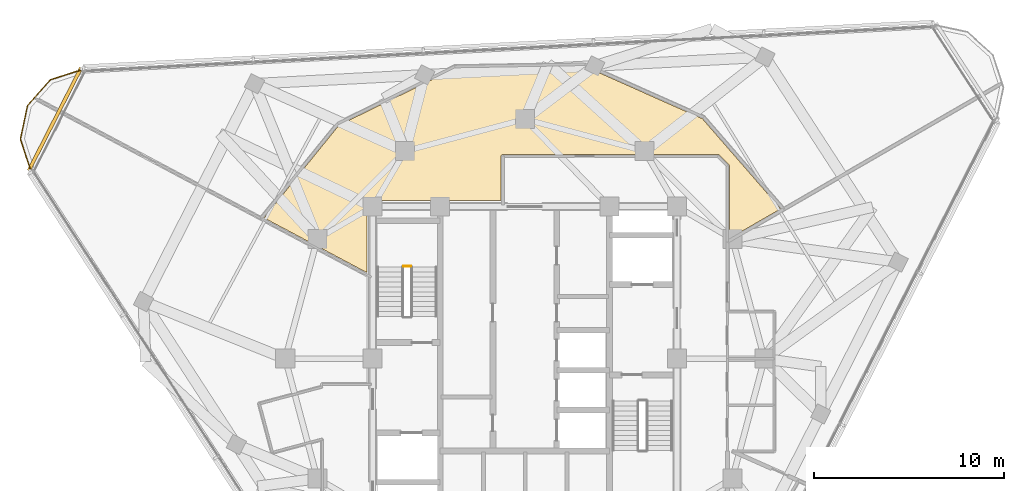
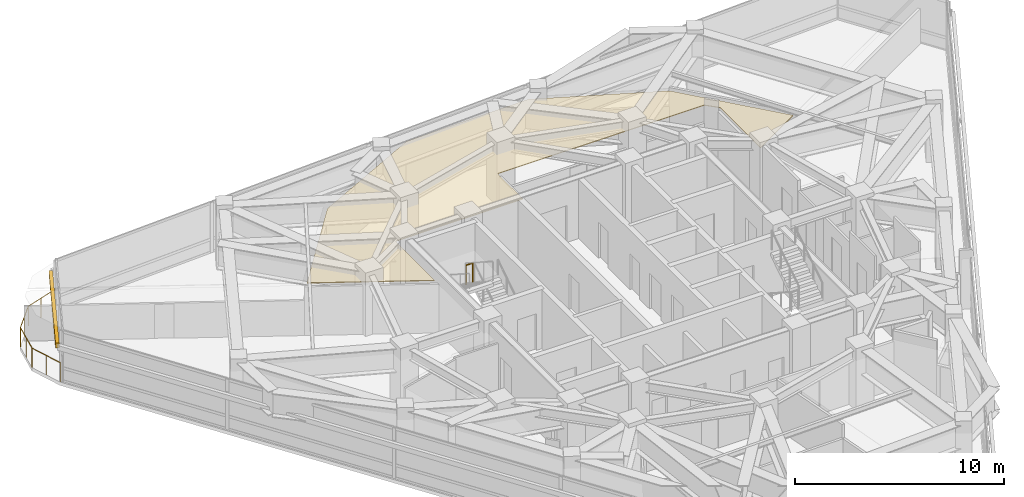
# One storey, part 14 of 15: 2 railings, 1 covering, 1 shading device.
"""IFC4 building model written with IfcOpenShell, lengths in metres."""

from ifc_helpers import new_model, si_unit, direction, frame, origin, origin_2d, place, context, subcontext, project, spatial, polyline, rectangle, circle, outline, extrude, material, layer, layer_set, type_object, element, save


model = new_model("IFC4")

# Units and contexts
model_context = context("Model", 3, precision=1e-05, world=origin(), true_north=direction((0.0, 1.0)))
body_context = subcontext(model_context, "Body", "Model", "MODEL_VIEW")
ifc_project = project(units=[si_unit("LENGTHUNIT", "METRE"), si_unit("AREAUNIT", "SQUARE_METRE"), si_unit("VOLUMEUNIT", "CUBIC_METRE"), si_unit("PLANEANGLEUNIT", "RADIAN"), si_unit("MASSUNIT", "GRAM", prefix="KILO")], contexts=[model_context])

# Site, building, storey
site_placement = place(None, origin())
site = spatial("IfcSite", under=ifc_project, at=site_placement, CompositionType="ELEMENT")
building_placement = place(site_placement, origin())
building = spatial("IfcBuilding", under=site, at=building_placement, Name="Terralouvre Media Tower", CompositionType="ELEMENT")
storey_placement = place(building_placement, frame((0.0, 0.0, 274.39990234375)))
storey = spatial("IfcBuildingStorey", under=building, at=storey_placement, Name="L71", CompositionType="ELEMENT", Elevation=274.39990234375)

# Covering
ifc_material_1 = material(Name="Perforated aluminium acoustic ceiling baffle", Category="aluminium")
ifc_layer_1 = layer(ifc_material_1, 0.0400390625, Name="Perforated Acoustic Metal Tile Ceiling CL-AC1")
ifc_layer_set_1 = layer_set([ifc_layer_1], Name="Perforated aluminium acoustic ceiling baffle")
covering_type = type_object("IfcCoveringType", Name="Perforated Acoustic Metal Tile Ceiling CL-AC1", PredefinedType="CEILING", material=ifc_layer_set_1)
covering_placement = place(storey_placement, frame((0.0, 0.0, 2.940185546875), z_axis=(0.0, 0.0, 1.0), x_axis=(0.45399049974, 0.891006524188, 0.0)))
element("IfcCovering", 1, at=covering_placement, inside=storey, type_object=covering_type, Name="L71 Acoustic Music Listening Room 9 Acoustic Ceiling", PredefinedType="CEILING", context=body_context, shape_type="SweptSolid", body=[
    extrude(outline(polyline([(8.9306640625, 5.952880859375), (8.93994140625, 5.955810546875), (8.949462890625, 5.9580078125), (8.959228515625, 5.95947265625), (8.968994140625, 5.959716796875), (8.97900390625, 5.958984375), (8.988525390625, 5.957275390625), (8.998046875, 5.954833984375), (9.00732421875, 5.951171875), (9.015869140625, 5.947021484375), (9.0244140625, 5.941650390625), (9.031982421875, 5.935791015625), (9.039306640625, 5.928955078125), (9.045654296875, 5.921630859375), (9.05126953125, 5.91357421875), (9.05615234375, 5.905029296875), (14.186279296875, -4.163330078125), (14.1904296875, -4.17236328125), (14.193603515625, -4.181640625), (14.195556640625, -4.191162109375), (14.197021484375, -4.200927734375), (14.197265625, -4.210693359375), (14.196533203125, -4.220458984375), (14.19482421875, -4.230224609375), (14.1923828125, -4.239501953125), (13.973876953125, -4.912109375), (13.97021484375, -4.92138671875), (13.966064453125, -4.929931640625), (13.960693359375, -4.9384765625), (13.954833984375, -4.946044921875), (13.947998046875, -4.953369140625), (13.940673828125, -4.959716796875), (13.9326171875, -4.96533203125), (13.924072265625, -4.97021484375), (10.513427734375, -6.7080078125), (13.1318359375, -8.40869140625), (15.482177734375, -2.590576171875), (15.126708984375, 4.195068359375), (11.936279296875, 10.194091796875), (6.50927734375, 14.2841796875), (0.37158203125, 15.588623046875), (0.264892578125, 9.46142578125), (3.54248046875, 11.131591796875), (3.551513671875, 11.135498046875), (3.560791015625, 11.138671875), (3.5703125, 11.140869140625), (3.580078125, 11.14208984375), (3.58984375, 11.142333984375), (3.599609375, 11.1416015625), (3.609375, 11.14013671875), (3.618896484375, 11.137451171875), (3.6279296875, 11.134033203125), (3.63671875, 11.129638671875), (3.64501953125, 11.12451171875), (3.65283203125, 11.118408203125), (3.659912109375, 11.11181640625), (3.66650390625, 11.104248046875), (3.672119140625, 11.096435546875), (3.677001953125, 11.087890625), (6.836669921875, 4.886474609375), (8.921630859375, 5.94873046875), (8.9306640625, 5.952880859375)])), origin(), (0.0, 0.0, 1.0), 0.039794921875),
])

# Railings
ifc_material_2 = material(Name="Stainless steel 316 handrail and balustrade", Category="steel")
ifc_layer_2 = layer(ifc_material_2, 0.06005859375, Name="Roof Edge Safety Guardrail GR-ROOF1")
ifc_layer_set_2 = layer_set([ifc_layer_2], Name="Stainless steel 316 handrail and balustrade")
railing_type_1 = type_object("IfcRailingType", Name="Roof Edge Safety Guardrail GR-ROOF1", PredefinedType="GUARDRAIL", material=ifc_layer_set_2)
railing_1_placement = place(storey_placement, frame((-23.216796875, 15.2294921875, 0.0)))
element("IfcRailing", 2, at=railing_1_placement, inside=storey, type_object=railing_type_1, Name="L71 Wind-Corner Perimeter Safety Guardrail C2", PredefinedType="GUARDRAIL", context=body_context, shape_type="SweptSolid", body=[
    extrude(circle(Radius=0.02099609375, at=origin_2d()), frame((0.0, 0.0, 1.12890625), z_axis=(-0.951160789169, -0.308695891043, 0.0), x_axis=(0.308695891043, -0.951160789169, 0.0)), (0.0, 0.0, 1.0), 1.81103515625),
    extrude(circle(Radius=0.02099609375, at=origin_2d()), frame((-1.72265625, -0.55908203125, 1.12890625), z_axis=(-0.66920303756, -0.743079601739, 0.0), x_axis=(0.743079601739, -0.66920303756, 0.0)), (0.0, 0.0, 1.0), 1.81103515625),
    extrude(circle(Radius=0.02099609375, at=origin_2d()), frame((-2.9345703125, -1.90478515625, 1.12890625), z_axis=(-0.207770065545, -0.978177693399, 0.0), x_axis=(0.978177693399, -0.207770065545, 0.0)), (0.0, 0.0, 1.0), 1.810791015625),
    extrude(circle(Radius=0.02099609375, at=origin_2d()), frame((-3.310791015625, -3.676025390625, 1.12890625), z_axis=(0.309223227826, -0.950989482262, 0.0), x_axis=(0.950989482262, 0.309223227826, 0.0)), (0.0, 0.0, 1.0), 1.811279296875),
    extrude(circle(Radius=0.01904296875, at=origin_2d()), origin(), (0.0, 0.0, 1.0), 1.10791015625),
    extrude(circle(Radius=0.01904296875, at=origin_2d()), frame((-0.861328125, -0.279541015625, 0.0)), (0.0, 0.0, 1.0), 1.10791015625),
    extrude(circle(Radius=0.01904296875, at=origin_2d()), frame((-1.72265625, -0.55908203125, 0.0)), (0.0, 0.0, 1.0), 1.10791015625),
    extrude(circle(Radius=0.01904296875, at=origin_2d()), frame((-2.32861328125, -1.23193359375, 0.0)), (0.0, 0.0, 1.0), 1.10791015625),
    extrude(circle(Radius=0.01904296875, at=origin_2d()), frame((-2.9345703125, -1.90478515625, 0.0)), (0.0, 0.0, 1.0), 1.10791015625),
    extrude(circle(Radius=0.01904296875, at=origin_2d()), frame((-3.12255859375, -2.79052734375, 0.0)), (0.0, 0.0, 1.0), 1.10791015625),
    extrude(circle(Radius=0.01904296875, at=origin_2d()), frame((-3.310791015625, -3.676025390625, 0.0)), (0.0, 0.0, 1.0), 1.10791015625),
    extrude(circle(Radius=0.01904296875, at=origin_2d()), frame((-3.03076171875, -4.537109375, 0.0)), (0.0, 0.0, 1.0), 1.10791015625),
    extrude(circle(Radius=0.01904296875, at=origin_2d()), frame((-2.750732421875, -5.3984375, 0.0)), (0.0, 0.0, 1.0), 1.10791015625),
])
ifc_material_3 = material(Name="Stainless steel 316 handrail and balustrade", Category="steel")
ifc_layer_3 = layer(ifc_material_3, 0.050048828125, Name="Stairwell Safety Guardrail GR-INT1")
ifc_layer_set_3 = layer_set([ifc_layer_3], Name="Stainless steel 316 handrail and balustrade")
railing_type_2 = type_object("IfcRailingType", Name="Stairwell Safety Guardrail GR-INT1", PredefinedType="GUARDRAIL", material=ifc_layer_set_3)
railing_2_placement = place(storey_placement, frame((-6.0, 4.8701171875, 1.85009765625)))
element("IfcRailing", 3, at=railing_2_placement, inside=storey, type_object=railing_type_2, Name="L71 ST-01 stair guard 2", PredefinedType="GUARDRAIL", context=body_context, shape_type="SweptSolid", body=[
    extrude(circle(Radius=0.02392578125, at=origin_2d()), frame((0.0, 0.0, 1.1259765625), z_axis=(-1.0, 0.0, 0.0), x_axis=(0.0, -1.0, 0.0)), (0.0, 0.0, 1.0), 0.3798828125),
    extrude(circle(Radius=0.02099609375, at=origin_2d()), origin(), (0.0, 0.0, 1.0), 1.101806640625),
    extrude(circle(Radius=0.02099609375, at=origin_2d()), frame((-0.3798828125, 0.0, 0.0)), (0.0, 0.0, 1.0), 1.101806640625),
])

# Shading device
ifc_material_4 = material(Name="Extruded terracotta baguette sunshade louvres", Category="masonry")
shading_device_type = type_object("IfcShadingDeviceType", Name="Terracotta Baguette Sunshade Louvre Screen TB-LV1", PredefinedType="USERDEFINED", material=ifc_material_4)
shading_device_placement = place(storey_placement, frame((-24.71240234375, 12.591552734375, 1.99951171875), z_axis=(0.0, 0.0, 1.0), x_axis=(-0.453990349937, -0.891006600517, 0.0)))
element("IfcShadingDevice", 4, at=shading_device_placement, inside=storey, type_object=shading_device_type, Name="CW-L71-C2 Terracotta Baguette Sunshade Louvre", ObjectType="BAGUETTE", PredefinedType="USERDEFINED", context=body_context, shape_type="SweptSolid", body=[
    extrude(rectangle(XDim=6.062255859375, YDim=0.179931640625, at=origin_2d()), origin(), (0.0, 0.0, 1.0), 0.280029296875),
])

save(model, "model.ifc")
